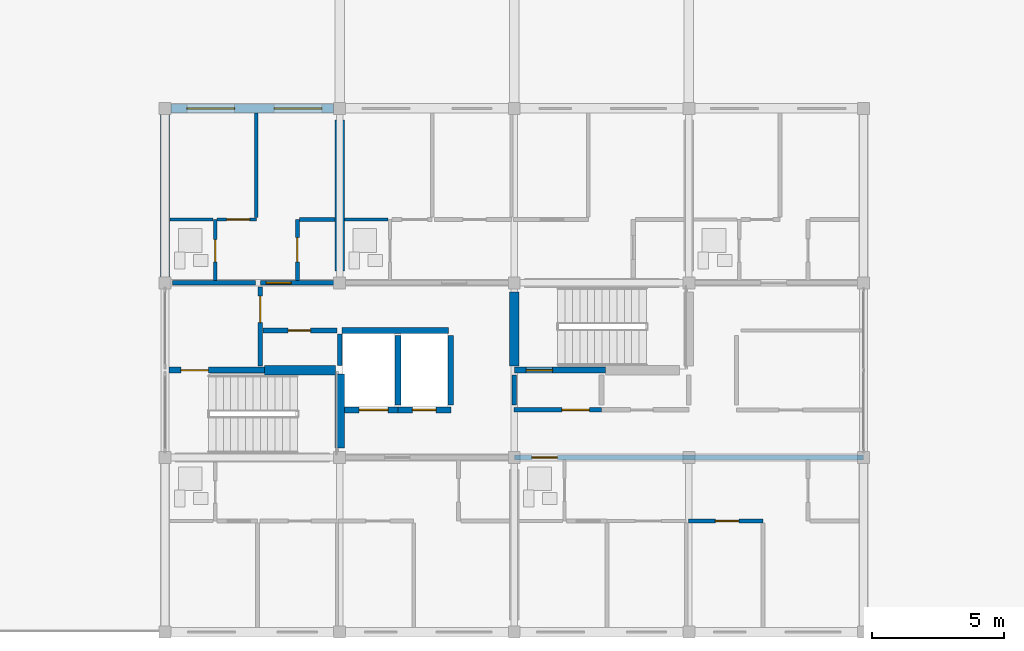
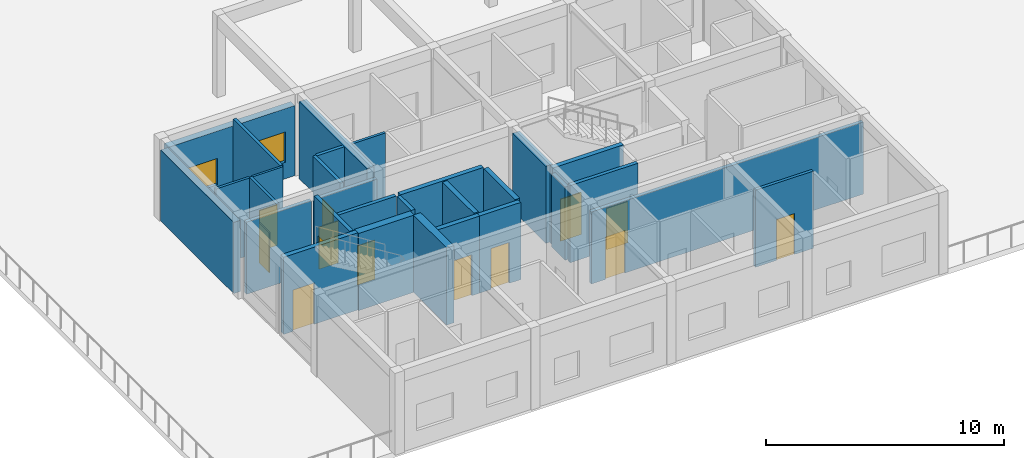
# One storey, part 64 of 92: 29 walls, 13 doors, 2 windows, 15 openings.
"""IFC4 building model written with IfcOpenShell, lengths in metres."""

from ifc_helpers import new_model, si_unit, direction, frame, frame_2d, origin, place, context, subcontext, project, spatial, rectangle, extrude, material, layer, layer_set, type_object, element, fill, save


model = new_model("IFC4")

# Units and contexts
model_context = context("Model", 3, precision=1e-05, world=origin(), true_north=direction((0.0, 1.0)))
body_context = subcontext(model_context, "Body", "Model", "MODEL_VIEW")
ifc_project = project(units=[si_unit("LENGTHUNIT", "METRE"), si_unit("AREAUNIT", "SQUARE_METRE"), si_unit("VOLUMEUNIT", "CUBIC_METRE"), si_unit("PLANEANGLEUNIT", "RADIAN"), si_unit("MASSUNIT", "GRAM", prefix="KILO")], contexts=[model_context])

# Site, building, storey
site_placement = place(None, origin())
site = spatial("IfcSite", under=ifc_project, at=site_placement, CompositionType="ELEMENT")
building_placement = place(site_placement, origin())
building = spatial("IfcBuilding", under=site, at=building_placement, Name="Kernevlak Ridge Housing Community", CompositionType="ELEMENT")
storey_placement = place(building_placement, frame((0.0, 0.0, 4.199951171875)))
storey = spatial("IfcBuildingStorey", under=building, at=storey_placement, Name="L01", CompositionType="ELEMENT", Elevation=4.199951171875)

# Wall, openings, windows
ifc_material_1 = material(Name="Concrete block masonry M10", Category="masonry")
ifc_layer_1 = layer(ifc_material_1, 0.340087890625, Name="Concrete block masonry M10")
ifc_layer_set_1 = layer_set([ifc_layer_1], Name="Concrete block masonry M10")
wall_type_1 = type_object("IfcWallType", Name="EW-04", PredefinedType="STANDARD", material=ifc_layer_set_1)
wall_1_placement = place(storey_placement, frame((15.824951171875, 35.39990234375, 0.0), z_axis=(0.0, 0.0, 1.0), x_axis=(1.0, 0.0, 0.0)))
wall_1 = element("IfcWall", 1, at=wall_1_placement, inside=storey, type_object=wall_type_1, Name="Exterior wall EW-04 L01 731", PredefinedType="STANDARD", context=body_context, shape_type="SweptSolid", body=[
    extrude(rectangle(XDim=6.150146484375, YDim=0.340087890625, at=frame_2d((3.0751953125, 0.0))), origin(), (0.0, 0.0, 1.0), 3.60009765625),
])
opening_1_placement = place(wall_1_placement, frame((0.60009765625, 0.0, 0.85009765625)))
opening_1 = element("IfcOpeningElement", 2, at=opening_1_placement, cuts=wall_1, Name="Opening WT-03", PredefinedType="OPENING", context=body_context, shape_type="SweptSolid", body=[
    extrude(rectangle(XDim=1.800048828125, YDim=1.35009765625, at=frame_2d((0.89990234375, 0.675048828125))), frame((0.0, 0.179931640625, 0.0), z_axis=(0.0, -1.0, 0.0), x_axis=(1.0, 0.0, 0.0)), (0.0, 0.0, 1.0), 0.360107421875),
])
opening_2_placement = place(wall_1_placement, frame((3.89990234375, 0.0, 0.85009765625)))
opening_2 = element("IfcOpeningElement", 3, at=opening_2_placement, cuts=wall_1, Name="Opening WT-04", PredefinedType="OPENING", context=body_context, shape_type="SweptSolid", body=[
    extrude(rectangle(XDim=1.800048828125, YDim=1.550048828125, at=frame_2d((0.89990234375, 0.77490234375))), frame((0.0, 0.179931640625, 0.0), z_axis=(0.0, -1.0, 0.0), x_axis=(1.0, 0.0, 0.0)), (0.0, 0.0, 1.0), 0.360107421875),
])
ifc_material_2 = material(Name="Aluminium EN AW-6060 anodised and laminated glass", Category="aluminium")
window_type_1 = type_object("IfcWindowType", Name="WT-03", PartitioningType="SINGLE_PANEL", PredefinedType="WINDOW", material=ifc_material_2)
window_1_placement = place(opening_1_placement, origin())
window_1 = element("IfcWindow", 4, at=window_1_placement, inside=storey, type_object=window_type_1, Name="Window WT-03 L01 598", OverallHeight=1.35009765625, OverallWidth=1.800048828125, PartitioningType="SINGLE_PANEL", PredefinedType="WINDOW", context=body_context, shape_type="SweptSolid", body=[
    extrude(rectangle(XDim=1.800048828125, YDim=1.35009765625, at=frame_2d((0.89990234375, 0.675048828125))), frame((0.0, 0.030029296875, 0.0), z_axis=(0.0, -1.0, 0.0), x_axis=(1.0, 0.0, 0.0)), (0.0, 0.0, 1.0), 0.06005859375),
])
fill(opening_1, window_1)
window_type_2 = type_object("IfcWindowType", Name="WT-04", PartitioningType="SINGLE_PANEL", PredefinedType="WINDOW", material=ifc_material_2)
window_2_placement = place(opening_2_placement, origin())
window_2 = element("IfcWindow", 5, at=window_2_placement, inside=storey, type_object=window_type_2, Name="Window WT-04 L01 599", OverallHeight=1.550048828125, OverallWidth=1.800048828125, PartitioningType="SINGLE_PANEL", PredefinedType="WINDOW", context=body_context, shape_type="SweptSolid", body=[
    extrude(rectangle(XDim=1.800048828125, YDim=1.550048828125, at=frame_2d((0.89990234375, 0.77490234375))), frame((0.0, 0.030029296875, 0.0), z_axis=(0.0, -1.0, 0.0), x_axis=(1.0, 0.0, 0.0)), (0.0, 0.0, 1.0), 0.06005859375),
])
fill(opening_2, window_2)

# Wall
wall_2_placement = place(storey_placement, frame((15.60009765625, 29.02490234375, 0.0), z_axis=(0.0, 0.0, 1.0), x_axis=(0.0, 1.0, 0.0)))
element("IfcWall", 6, at=wall_2_placement, inside=storey, type_object=wall_type_1, Name="Exterior wall EW-04 L01 736", PredefinedType="STANDARD", context=body_context, shape_type="SweptSolid", body=[
    extrude(rectangle(XDim=6.150146484375, YDim=0.340087890625, at=frame_2d((3.0751953125, 0.0))), origin(), (0.0, 0.0, 1.0), 3.650146484375),
])

# Wall, opening, door
ifc_material_3 = material(Name="Concrete C35/45", Category="concrete")
ifc_layer_2 = layer(ifc_material_3, 0.22509765625, Name="Concrete C35/45")
ifc_layer_set_2 = layer_set([ifc_layer_2], Name="Concrete C35/45")
wall_type_2 = type_object("IfcWallType", Name="PW-01", PredefinedType="STANDARD", material=ifc_layer_set_2)
wall_3_placement = place(storey_placement, frame((15.75, 25.5, 0.0), z_axis=(0.0, 0.0, 1.0), x_axis=(1.0, 0.0, 0.0)))
wall_3 = element("IfcWall", 7, at=wall_3_placement, inside=storey, type_object=wall_type_2, Name="Interior wall PW-01 WAL-INT-L01-2974", PredefinedType="STANDARD", context=body_context, shape_type="SweptSolid", body=[
    extrude(rectangle(XDim=3.60009765625, YDim=0.22509765625, at=frame_2d((1.800048828125, 0.0))), origin(), (0.0, 0.0, 1.0), 3.9599609375),
])
opening_3_placement = place(wall_3_placement, frame((0.449951171875, 0.0, 0.0)))
opening_3 = element("IfcOpeningElement", 8, at=opening_3_placement, cuts=wall_3, Name="Opening E509", PredefinedType="OPENING", context=body_context, shape_type="SweptSolid", body=[
    extrude(rectangle(XDim=1.0400390625, YDim=2.1201171875, at=frame_2d((0.52001953125, 1.06005859375))), frame((0.0, 0.12255859375, 0.0), z_axis=(0.0, -1.0, 0.0), x_axis=(1.0, 0.0, 0.0)), (0.0, 0.0, 1.0), 0.2451171875),
])
ifc_material_4 = material(Name="Fire-rated sheet steel leaf", Category="steel")
door_type_1 = type_object("IfcDoorType", Name="DT-16", OperationType="NOTDEFINED", PredefinedType="DOOR", material=ifc_material_4)
door_1_placement = place(opening_3_placement, origin())
door_1 = element("IfcDoor", 9, at=door_1_placement, inside=storey, type_object=door_type_1, Name="Block D Stair 1 fire door E509", OperationType="SINGLE_SWING_RIGHT", OverallHeight=2.1201171875, OverallWidth=1.0400390625, PredefinedType="DOOR", context=body_context, shape_type="SweptSolid", body=[
    extrude(rectangle(XDim=1.0400390625, YDim=2.1201171875, at=frame_2d((0.52001953125, 1.06005859375))), frame((0.0, 0.02490234375, 0.0), z_axis=(0.0, -1.0, 0.0), x_axis=(1.0, 0.0, 0.0)), (0.0, 0.0, 1.0), 0.050048828125),
])
fill(opening_3, door_1)

wall_4_placement = place(storey_placement, frame((22.385009765625, 24.0, 0.0), z_axis=(0.0, 0.0, 1.0), x_axis=(1.0, 0.0, 0.0)))
wall_4 = element("IfcWall", 10, at=wall_4_placement, inside=storey, type_object=wall_type_2, Name="Interior wall PW-01 WAL-INT-L01-2978", PredefinedType="STANDARD", context=body_context, shape_type="SweptSolid", body=[
    extrude(rectangle(XDim=2.014892578125, YDim=0.22509765625, at=frame_2d((1.00732421875, 0.0))), origin(), (0.0, 0.0, 1.0), 3.9599609375),
])
opening_4_placement = place(wall_4_placement, frame((0.550048828125, 0.0, 0.0)))
opening_4 = element("IfcOpeningElement", 11, at=opening_4_placement, cuts=wall_4, Name="Opening LD80", PredefinedType="OPENING", context=body_context, shape_type="SweptSolid", body=[
    extrude(rectangle(XDim=1.10009765625, YDim=2.10009765625, at=frame_2d((0.550048828125, 1.050048828125))), frame((0.0, 0.12255859375, 0.0), z_axis=(0.0, -1.0, 0.0), x_axis=(1.0, 0.0, 0.0)), (0.0, 0.0, 1.0), 0.2451171875),
])
ifc_material_5 = material(Name="Stainless steel EN 1.4401", Category="steel")
door_type_2 = type_object("IfcDoorType", Name="DT-LD1", OperationType="DOUBLE_DOOR_SLIDING", PredefinedType="DOOR", material=ifc_material_5)
door_2_placement = place(opening_4_placement, origin())
door_2 = element("IfcDoor", 12, at=door_2_placement, inside=storey, type_object=door_type_2, Name="Lift LF-D1 landing door LD80", OperationType="DOUBLE_DOOR_SLIDING", OverallHeight=2.10009765625, OverallWidth=1.10009765625, PredefinedType="DOOR", context=body_context, shape_type="SweptSolid", body=[
    extrude(rectangle(XDim=1.10009765625, YDim=2.10009765625, at=frame_2d((0.550048828125, 1.050048828125))), frame((0.0, 0.02490234375, 0.0), z_axis=(0.0, -1.0, 0.0), x_axis=(1.0, 0.0, 0.0)), (0.0, 0.0, 1.0), 0.050048828125),
])
fill(opening_4, door_2)

wall_5_placement = place(storey_placement, frame((24.39990234375, 24.0, 0.0), z_axis=(0.0, 0.0, 1.0), x_axis=(1.0, 0.0, 0.0)))
wall_5 = element("IfcWall", 13, at=wall_5_placement, inside=storey, type_object=wall_type_2, Name="Interior wall PW-01 WAL-INT-L01-2979", PredefinedType="STANDARD", context=body_context, shape_type="SweptSolid", body=[
    extrude(rectangle(XDim=2.0, YDim=0.22509765625, at=frame_2d((1.0, 0.0))), origin(), (0.0, 0.0, 1.0), 3.9599609375),
])
opening_5_placement = place(wall_5_placement, frame((0.550048828125, 0.0, 0.0)))
opening_5 = element("IfcOpeningElement", 14, at=opening_5_placement, cuts=wall_5, Name="Opening LD81", PredefinedType="OPENING", context=body_context, shape_type="SweptSolid", body=[
    extrude(rectangle(XDim=0.89990234375, YDim=2.10009765625, at=frame_2d((0.449951171875, 1.050048828125))), frame((0.0, 0.12255859375, 0.0), z_axis=(0.0, -1.0, 0.0), x_axis=(1.0, 0.0, 0.0)), (0.0, 0.0, 1.0), 0.2451171875),
])
door_type_3 = type_object("IfcDoorType", Name="DT-LD2", OperationType="DOUBLE_DOOR_SLIDING", PredefinedType="DOOR", material=ifc_material_5)
door_3_placement = place(opening_5_placement, origin())
door_3 = element("IfcDoor", 15, at=door_3_placement, inside=storey, type_object=door_type_3, Name="Lift LF-D2 landing door LD81", OperationType="DOUBLE_DOOR_SLIDING", OverallHeight=2.10009765625, OverallWidth=0.89990234375, PredefinedType="DOOR", context=body_context, shape_type="SweptSolid", body=[
    extrude(rectangle(XDim=0.89990234375, YDim=2.10009765625, at=frame_2d((0.449951171875, 1.050048828125))), frame((0.0, 0.02490234375, 0.0), z_axis=(0.0, -1.0, 0.0), x_axis=(1.0, 0.0, 0.0)), (0.0, 0.0, 1.0), 0.050048828125),
])
fill(opening_5, door_3)

# Walls
wall_6_placement = place(storey_placement, frame((22.297607421875, 27.0, 0.0), z_axis=(0.0, 0.0, 1.0), x_axis=(1.0, 0.0, 0.0)))
element("IfcWall", 16, at=wall_6_placement, inside=storey, type_object=wall_type_2, Name="Interior wall PW-01 WAL-INT-L01-2980", PredefinedType="STANDARD", context=body_context, shape_type="SweptSolid", body=[
    extrude(rectangle(XDim=4.0224609375, YDim=0.22509765625, at=frame_2d((2.01123046875, 0.0))), origin(), (0.0, 0.0, 1.0), 3.9599609375),
])
for number, where, z_axis, x_axis, name in (
    (17, (24.39990234375, 24.179931640625, 0.0), (0.0, 0.0, 1.0), (0.0, 1.0, 0.0), "Interior wall PW-01 WAL-INT-L01-2982"),
    (18, (26.39990234375, 24.179931640625, 0.0), (0.0, 0.0, 1.0), (0.0, 1.0, 0.0), "Interior wall PW-01 WAL-INT-L01-2983"),
):
    element("IfcWall", number, at=place(storey_placement, frame(where, z_axis=z_axis, x_axis=x_axis)), inside=storey, type_object=wall_type_2, Name=name, PredefinedType="STANDARD", context=body_context, shape_type="SweptSolid", body=[
        extrude(rectangle(XDim=2.64013671875, YDim=0.22509765625, at=frame_2d((1.320068359375, 0.0))), origin(), (0.0, 0.0, 1.0), 3.9599609375),
    ])

# Wall, opening, door
wall_7_placement = place(storey_placement, frame((28.800048828125, 25.5, 0.0), z_axis=(0.0, 0.0, 1.0), x_axis=(1.0, 0.0, 0.0)))
wall_7 = element("IfcWall", 19, at=wall_7_placement, inside=storey, type_object=wall_type_2, Name="Interior wall PW-01 WAL-INT-L01-2984", PredefinedType="STANDARD", context=body_context, shape_type="SweptSolid", body=[
    extrude(rectangle(XDim=3.449951171875, YDim=0.22509765625, at=frame_2d((1.72509765625, 0.0))), origin(), (0.0, 0.0, 1.0), 3.9599609375),
])
opening_6_placement = place(wall_7_placement, frame((0.449951171875, 0.0, 0.0)))
opening_6 = element("IfcOpeningElement", 20, at=opening_6_placement, cuts=wall_7, Name="Opening E512", PredefinedType="OPENING", context=body_context, shape_type="SweptSolid", body=[
    extrude(rectangle(XDim=1.0, YDim=2.159912109375, at=frame_2d((0.5, 1.080078125))), frame((0.0, 0.12255859375, 0.0), z_axis=(0.0, -1.0, 0.0), x_axis=(1.0, 0.0, 0.0)), (0.0, 0.0, 1.0), 0.2451171875),
])
door_type_4 = type_object("IfcDoorType", Name="DT-15", OperationType="NOTDEFINED", PredefinedType="DOOR", material=ifc_material_4)
door_4_placement = place(opening_6_placement, origin())
door_4 = element("IfcDoor", 21, at=door_4_placement, inside=storey, type_object=door_type_4, Name="Block D Stair 2 fire door E512", OperationType="SINGLE_SWING_LEFT", OverallHeight=2.159912109375, OverallWidth=1.0, PredefinedType="DOOR", context=body_context, shape_type="SweptSolid", body=[
    extrude(rectangle(XDim=1.0, YDim=2.159912109375, at=frame_2d((0.5, 1.080078125))), frame((0.0, 0.02490234375, 0.0), z_axis=(0.0, -1.0, 0.0), x_axis=(1.0, 0.0, 0.0)), (0.0, 0.0, 1.0), 0.050048828125),
])
fill(opening_6, door_4)

ifc_layer_3 = layer(ifc_material_1, 0.175048828125, Name="Concrete block masonry M10")
ifc_layer_set_3 = layer_set([ifc_layer_3], Name="Concrete block masonry M10")
wall_type_3 = type_object("IfcWallType", Name="PW-02", PredefinedType="PARTITIONING", material=ifc_layer_set_3)
wall_8_placement = place(storey_placement, frame((19.199951171875, 25.64990234375, 0.0), z_axis=(0.0, 0.0, 1.0), x_axis=(0.0, 1.0, 0.0)))
wall_8 = element("IfcWall", 22, at=wall_8_placement, inside=storey, type_object=wall_type_3, Name="Interior wall PW-02 WAL-INT-L01-2975", PredefinedType="PARTITIONING", context=body_context, shape_type="SweptSolid", body=[
    extrude(rectangle(XDim=3.0, YDim=0.175048828125, at=frame_2d((1.5, 0.0))), origin(), (0.0, 0.0, 1.0), 3.9599609375),
])
opening_7_placement = place(wall_8_placement, frame((1.64990234375, 0.0, 0.0)))
opening_7 = element("IfcOpeningElement", 23, at=opening_7_placement, cuts=wall_8, Name="Opening E510", PredefinedType="OPENING", context=body_context, shape_type="SweptSolid", body=[
    extrude(rectangle(XDim=1.0, YDim=2.10009765625, at=frame_2d((0.5, 1.050048828125))), frame((0.0, 0.097412109375, 0.0), z_axis=(0.0, -1.0, 0.0), x_axis=(1.0, 0.0, 0.0)), (0.0, 0.0, 1.0), 0.195068359375),
])
door_type_5 = type_object("IfcDoorType", Name="DT-05", OperationType="NOTDEFINED", PredefinedType="DOOR", material=ifc_material_4)
door_5_placement = place(opening_7_placement, origin())
door_5 = element("IfcDoor", 24, at=door_5_placement, inside=storey, type_object=door_type_5, Name="Block D Firefighting lobby 1 door E510", OperationType="SINGLE_SWING_LEFT", OverallHeight=2.10009765625, OverallWidth=1.0, PredefinedType="DOOR", context=body_context, shape_type="SweptSolid", body=[
    extrude(rectangle(XDim=1.0, YDim=2.10009765625, at=frame_2d((0.5, 1.050048828125))), frame((0.0, 0.02490234375, 0.0), z_axis=(0.0, -1.0, 0.0), x_axis=(1.0, 0.0, 0.0)), (0.0, 0.0, 1.0), 0.050048828125),
])
fill(opening_7, door_5)

wall_9_placement = place(storey_placement, frame((19.300048828125, 27.0, 0.0), z_axis=(0.0, 0.0, 1.0), x_axis=(1.0, 0.0, 0.0)))
wall_9 = element("IfcWall", 25, at=wall_9_placement, inside=storey, type_object=wall_type_3, Name="Interior wall PW-02 WAL-INT-L01-2976", PredefinedType="PARTITIONING", context=body_context, shape_type="SweptSolid", body=[
    extrude(rectangle(XDim=2.800048828125, YDim=0.175048828125, at=frame_2d((1.39990234375, 0.0))), origin(), (0.0, 0.0, 1.0), 3.9599609375),
])
opening_8_placement = place(wall_9_placement, frame((0.949951171875, 0.0, 0.0)))
opening_8 = element("IfcOpeningElement", 26, at=opening_8_placement, cuts=wall_9, Name="Opening E511", PredefinedType="OPENING", context=body_context, shape_type="SweptSolid", body=[
    extrude(rectangle(XDim=0.85009765625, YDim=2.0, at=frame_2d((0.425048828125, 1.0))), frame((0.0, 0.097412109375, 0.0), z_axis=(0.0, -1.0, 0.0), x_axis=(1.0, 0.0, 0.0)), (0.0, 0.0, 1.0), 0.195068359375),
])
door_type_6 = type_object("IfcDoorType", Name="DT-07", OperationType="NOTDEFINED", PredefinedType="DOOR", material=ifc_material_4)
door_6_placement = place(opening_8_placement, origin())
door_6 = element("IfcDoor", 27, at=door_6_placement, inside=storey, type_object=door_type_6, Name="Block D Riser shaft door E511", OperationType="SINGLE_SWING_RIGHT", OverallHeight=2.0, OverallWidth=0.85009765625, PredefinedType="DOOR", context=body_context, shape_type="SweptSolid", body=[
    extrude(rectangle(XDim=0.85009765625, YDim=2.0, at=frame_2d((0.425048828125, 1.0))), frame((0.0, 0.02490234375, 0.0), z_axis=(0.0, -1.0, 0.0), x_axis=(1.0, 0.0, 0.0)), (0.0, 0.0, 1.0), 0.050048828125),
])
fill(opening_8, door_6)

# Wall
wall_10_placement = place(storey_placement, frame((22.199951171875, 25.679931640625, 0.0), z_axis=(0.0, 0.0, 1.0), x_axis=(0.0, 1.0, 0.0)))
element("IfcWall", 28, at=wall_10_placement, inside=storey, type_object=wall_type_3, Name="Interior wall PW-02 WAL-INT-L01-2977", PredefinedType="PARTITIONING", context=body_context, shape_type="SweptSolid", body=[
    extrude(rectangle(XDim=1.190185546875, YDim=0.175048828125, at=frame_2d((0.59521484375, 0.0))), origin(), (0.0, 0.0, 1.0), 3.9599609375),
])

# Wall, opening, door
wall_11_placement = place(storey_placement, frame((28.800048828125, 24.0, 0.0), z_axis=(0.0, 0.0, 1.0), x_axis=(1.0, 0.0, 0.0)))
wall_11 = element("IfcWall", 29, at=wall_11_placement, inside=storey, type_object=wall_type_3, Name="Interior wall PW-02 WAL-INT-L01-2985", PredefinedType="PARTITIONING", context=body_context, shape_type="SweptSolid", body=[
    extrude(rectangle(XDim=3.300048828125, YDim=0.175048828125, at=frame_2d((1.64990234375, 0.0))), origin(), (0.0, 0.0, 1.0), 3.9599609375),
])
opening_9_placement = place(wall_11_placement, frame((1.800048828125, 0.0, 0.0)))
opening_9 = element("IfcOpeningElement", 30, at=opening_9_placement, cuts=wall_11, Name="Opening E513", PredefinedType="OPENING", context=body_context, shape_type="SweptSolid", body=[
    extrude(rectangle(XDim=1.0400390625, YDim=2.1201171875, at=frame_2d((0.52001953125, 1.06005859375))), frame((0.0, 0.097412109375, 0.0), z_axis=(0.0, -1.0, 0.0), x_axis=(1.0, 0.0, 0.0)), (0.0, 0.0, 1.0), 0.195068359375),
])
door_7_placement = place(opening_9_placement, origin())
door_7 = element("IfcDoor", 31, at=door_7_placement, inside=storey, type_object=door_type_1, Name="Block D Firefighting lobby 2 door E513", OperationType="SINGLE_SWING_RIGHT", OverallHeight=2.1201171875, OverallWidth=1.0400390625, PredefinedType="DOOR", context=body_context, shape_type="SweptSolid", body=[
    extrude(rectangle(XDim=1.0400390625, YDim=2.1201171875, at=frame_2d((0.52001953125, 1.06005859375))), frame((0.0, 0.02490234375, 0.0), z_axis=(0.0, -1.0, 0.0), x_axis=(1.0, 0.0, 0.0)), (0.0, 0.0, 1.0), 0.050048828125),
])
fill(opening_9, door_7)

# Wall
wall_12_placement = place(storey_placement, frame((28.800048828125, 24.179931640625, 0.0), z_axis=(0.0, 0.0, 1.0), x_axis=(0.0, 1.0, 0.0)))
element("IfcWall", 32, at=wall_12_placement, inside=storey, type_object=wall_type_3, Name="Interior wall PW-02 WAL-INT-L01-2987", PredefinedType="PARTITIONING", context=body_context, shape_type="SweptSolid", body=[
    extrude(rectangle(XDim=1.14013671875, YDim=0.175048828125, at=frame_2d((0.570068359375, 0.0))), origin(), (0.0, 0.0, 1.0), 3.75),
])

# Wall, opening, door
wall_13_placement = place(storey_placement, frame((28.800048828125, 22.199951171875, 0.0), z_axis=(0.0, 0.0, 1.0), x_axis=(1.0, 0.0, 0.0)))
wall_13 = element("IfcWall", 33, at=wall_13_placement, inside=storey, type_object=wall_type_3, Name="Interior wall PW-02 WAL-INT-L01-3004", PredefinedType="PARTITIONING", context=body_context, shape_type="SweptSolid", body=[
    extrude(rectangle(XDim=13.199951171875, YDim=0.175048828125, at=frame_2d((6.60009765625, 0.0))), origin(), (0.0, 0.0, 1.0), 3.699951171875),
])
opening_10_placement = place(wall_13_placement, frame((0.669921875, 0.0, 0.0)))
opening_10 = element("IfcOpeningElement", 34, at=opening_10_placement, cuts=wall_13, Name="Opening E522", PredefinedType="OPENING", context=body_context, shape_type="SweptSolid", body=[
    extrude(rectangle(XDim=0.9599609375, YDim=2.179931640625, at=frame_2d((0.47998046875, 1.08984375))), frame((0.0, 0.097412109375, 0.0), z_axis=(0.0, -1.0, 0.0), x_axis=(1.0, 0.0, 0.0)), (0.0, 0.0, 1.0), 0.195068359375),
])
ifc_material_6 = material(Name="Hardwood timber solid-core fire leaf", Category="wood")
door_type_7 = type_object("IfcDoorType", Name="DT-29", OperationType="NOTDEFINED", PredefinedType="DOOR", material=ifc_material_6)
door_8_placement = place(opening_10_placement, origin())
door_8 = element("IfcDoor", 35, at=door_8_placement, inside=storey, type_object=door_type_7, Name="Flat D0112 entrance fire door E522", OperationType="SINGLE_SWING_LEFT", OverallHeight=2.179931640625, OverallWidth=0.9599609375, PredefinedType="DOOR", context=body_context, shape_type="SweptSolid", body=[
    extrude(rectangle(XDim=0.9599609375, YDim=2.179931640625, at=frame_2d((0.47998046875, 1.08984375))), frame((0.0, 0.02490234375, 0.0), z_axis=(0.0, -1.0, 0.0), x_axis=(1.0, 0.0, 0.0)), (0.0, 0.0, 1.0), 0.050048828125),
])
fill(opening_10, door_8)

# Wall
wall_14_placement = place(storey_placement, frame((15.8798828125, 28.800048828125, 0.0), z_axis=(0.0, 0.0, 1.0), x_axis=(1.0, 0.0, 0.0)))
element("IfcWall", 36, at=wall_14_placement, inside=storey, type_object=wall_type_3, Name="Interior wall PW-02 WAL-INT-L01-3015", PredefinedType="PARTITIONING", context=body_context, shape_type="SweptSolid", body=[
    extrude(rectangle(XDim=3.14013671875, YDim=0.175048828125, at=frame_2d((1.570068359375, 0.0))), origin(), (0.0, 0.0, 1.0), 3.699951171875),
])

# Wall, opening, door
wall_15_placement = place(storey_placement, frame((19.199951171875, 28.800048828125, 0.0), z_axis=(0.0, 0.0, 1.0), x_axis=(1.0, 0.0, 0.0)))
wall_15 = element("IfcWall", 37, at=wall_15_placement, inside=storey, type_object=wall_type_3, Name="Interior wall PW-02 WAL-INT-L01-3016", PredefinedType="PARTITIONING", context=body_context, shape_type="SweptSolid", body=[
    extrude(rectangle(XDim=3.0, YDim=0.175048828125, at=frame_2d((1.5, 0.0))), origin(), (0.0, 0.0, 1.0), 3.699951171875),
])
opening_11_placement = place(wall_15_placement, frame((0.219970703125, 0.0, 0.0)))
opening_11 = element("IfcOpeningElement", 38, at=opening_11_placement, cuts=wall_15, Name="Opening E528", PredefinedType="OPENING", context=body_context, shape_type="SweptSolid", body=[
    extrude(rectangle(XDim=0.949951171875, YDim=2.159912109375, at=frame_2d((0.47509765625, 1.080078125))), frame((0.0, 0.097412109375, 0.0), z_axis=(0.0, -1.0, 0.0), x_axis=(1.0, 0.0, 0.0)), (0.0, 0.0, 1.0), 0.195068359375),
])
door_type_8 = type_object("IfcDoorType", Name="DT-02", OperationType="NOTDEFINED", PredefinedType="DOOR", material=ifc_material_6)
door_9_placement = place(opening_11_placement, origin())
door_9 = element("IfcDoor", 39, at=door_9_placement, inside=storey, type_object=door_type_8, Name="Flat D0121 entrance fire door E528", OperationType="SINGLE_SWING_LEFT", OverallHeight=2.159912109375, OverallWidth=0.949951171875, PredefinedType="DOOR", context=body_context, shape_type="SweptSolid", body=[
    extrude(rectangle(XDim=0.949951171875, YDim=2.159912109375, at=frame_2d((0.47509765625, 1.080078125))), frame((0.0, 0.02490234375, 0.0), z_axis=(0.0, -1.0, 0.0), x_axis=(1.0, 0.0, 0.0)), (0.0, 0.0, 1.0), 0.050048828125),
])
fill(opening_11, door_9)

ifc_layer_4 = layer(ifc_material_1, 0.14501953125, Name="Concrete block masonry M10")
ifc_layer_set_4 = layer_set([ifc_layer_4], Name="Concrete block masonry M10")
wall_type_4 = type_object("IfcWallType", Name="PW-03", PredefinedType="PARTITIONING", material=ifc_layer_set_4)
wall_16_placement = place(storey_placement, frame((35.382568359375, 19.800048828125, 0.0), z_axis=(0.0, 0.0, 1.0), x_axis=(1.0, 0.0, 0.0)))
wall_16 = element("IfcWall", 40, at=wall_16_placement, inside=storey, type_object=wall_type_4, Name="Interior wall PW-03 WAL-INT-L01-3013", PredefinedType="PARTITIONING", context=body_context, shape_type="SweptSolid", body=[
    extrude(rectangle(XDim=2.8173828125, YDim=0.14501953125, at=frame_2d((1.40869140625, 0.0))), origin(), (0.0, 0.0, 1.0), 3.9599609375),
])
opening_12_placement = place(wall_16_placement, frame((1.02490234375, 0.0, 0.0)))
opening_12 = element("IfcOpeningElement", 41, at=opening_12_placement, cuts=wall_16, Name="Opening E527", PredefinedType="OPENING", context=body_context, shape_type="SweptSolid", body=[
    extrude(rectangle(XDim=0.8798828125, YDim=2.10009765625, at=frame_2d((0.43994140625, 1.050048828125))), frame((0.0, 0.08251953125, 0.0), z_axis=(0.0, -1.0, 0.0), x_axis=(1.0, 0.0, 0.0)), (0.0, 0.0, 1.0), 0.1650390625),
])
ifc_material_7 = material(Name="Hardwood timber leaf", Category="wood")
door_type_9 = type_object("IfcDoorType", Name="DT-25", OperationType="NOTDEFINED", PredefinedType="DOOR", material=ifc_material_7)
door_10_placement = place(opening_12_placement, origin())
door_10 = element("IfcDoor", 42, at=door_10_placement, inside=storey, type_object=door_type_9, Name="Flat D0112 bedroom door E527", OperationType="SINGLE_SWING_RIGHT", OverallHeight=2.10009765625, OverallWidth=0.8798828125, PredefinedType="DOOR", context=body_context, shape_type="SweptSolid", body=[
    extrude(rectangle(XDim=0.8798828125, YDim=2.10009765625, at=frame_2d((0.43994140625, 1.050048828125))), frame((0.0, 0.02490234375, 0.0), z_axis=(0.0, -1.0, 0.0), x_axis=(1.0, 0.0, 0.0)), (0.0, 0.0, 1.0), 0.050048828125),
])
fill(opening_12, door_10)

# Wall
wall_17_placement = place(storey_placement, frame((19.050048828125, 31.280029296875, 0.0), z_axis=(0.0, 0.0, 1.0), x_axis=(0.0, 1.0, 0.0)))
element("IfcWall", 43, at=wall_17_placement, inside=storey, type_object=wall_type_4, Name="Interior wall PW-03 WAL-INT-L01-3022", PredefinedType="PARTITIONING", context=body_context, shape_type="SweptSolid", body=[
    extrude(rectangle(XDim=3.93994140625, YDim=0.14501953125, at=frame_2d((1.969970703125, 0.0))), origin(), (0.0, 0.0, 1.0), 3.9599609375),
])

# Wall, opening, door
ifc_material_8 = material(Name="Gypsum plasterboard EN 520", Category="gypsum")
ifc_layer_5 = layer(ifc_material_8, 0.125, Name="Gypsum plasterboard EN 520")
ifc_layer_set_5 = layer_set([ifc_layer_5], Name="Gypsum plasterboard EN 520")
wall_type_5 = type_object("IfcWallType", Name="PW-04", PredefinedType="PARTITIONING", material=ifc_layer_set_5)
wall_18_placement = place(storey_placement, frame((17.5, 28.8974609375, 0.0), z_axis=(0.0, 0.0, 1.0), x_axis=(0.0, 1.0, 0.0)))
wall_18 = element("IfcWall", 44, at=wall_18_placement, inside=storey, type_object=wall_type_5, Name="Interior wall PW-04 WAL-INT-L01-3017", PredefinedType="PARTITIONING", context=body_context, shape_type="SweptSolid", body=[
    extrude(rectangle(XDim=2.302490234375, YDim=0.125, at=frame_2d((1.1513671875, 0.0))), origin(), (0.0, 0.0, 1.0), 3.9599609375),
])
opening_13_placement = place(wall_18_placement, frame((0.699951171875, 0.0, 0.0)))
opening_13 = element("IfcOpeningElement", 45, at=opening_13_placement, cuts=wall_18, Name="Opening E529", PredefinedType="OPENING", context=body_context, shape_type="SweptSolid", body=[
    extrude(rectangle(XDim=0.840087890625, YDim=2.06005859375, at=frame_2d((0.419921875, 1.030029296875))), frame((0.0, 0.072509765625, 0.0), z_axis=(0.0, -1.0, 0.0), x_axis=(1.0, 0.0, 0.0)), (0.0, 0.0, 1.0), 0.14501953125),
])
ifc_material_9 = material(Name="Hardwood timber moisture-resistant leaf", Category="wood")
door_type_10 = type_object("IfcDoorType", Name="DT-27", OperationType="NOTDEFINED", PredefinedType="DOOR", material=ifc_material_9)
door_11_placement = place(opening_13_placement, origin())
door_11 = element("IfcDoor", 46, at=door_11_placement, inside=storey, type_object=door_type_10, Name="Flat D0121 bathroom door E529", OperationType="SINGLE_SWING_RIGHT", OverallHeight=2.06005859375, OverallWidth=0.840087890625, PredefinedType="DOOR", context=body_context, shape_type="SweptSolid", body=[
    extrude(rectangle(XDim=0.840087890625, YDim=2.06005859375, at=frame_2d((0.419921875, 1.030029296875))), frame((0.0, 0.02490234375, 0.0), z_axis=(0.0, -1.0, 0.0), x_axis=(1.0, 0.0, 0.0)), (0.0, 0.0, 1.0), 0.050048828125),
])
fill(opening_13, door_11)

# Walls
wall_19_placement = place(storey_placement, frame((15.780029296875, 31.199951171875, 0.0), z_axis=(0.0, 0.0, 1.0), x_axis=(1.0, 0.0, 0.0)))
element("IfcWall", 47, at=wall_19_placement, inside=storey, type_object=wall_type_5, Name="Interior wall PW-04 WAL-INT-L01-3018", PredefinedType="PARTITIONING", context=body_context, shape_type="SweptSolid", body=[
    extrude(rectangle(XDim=1.639892578125, YDim=0.125, at=frame_2d((0.81982421875, 0.0))), origin(), (0.0, 0.0, 1.0), 3.9599609375),
])
wall_20_placement = place(storey_placement, frame((22.385009765625, 31.199951171875, 0.0), z_axis=(0.0, 0.0, 1.0), x_axis=(1.0, 0.0, 0.0)))
element("IfcWall", 48, at=wall_20_placement, inside=storey, type_object=wall_type_5, Name="Interior wall PW-04 WAL-INT-L01-3025", PredefinedType="PARTITIONING", context=body_context, shape_type="SweptSolid", body=[
    extrude(rectangle(XDim=1.635009765625, YDim=0.125, at=frame_2d((0.8173828125, 0.0))), origin(), (0.0, 0.0, 1.0), 3.9599609375),
])

# Wall, opening, door
ifc_layer_6 = layer(ifc_material_8, 0.155029296875, Name="Gypsum plasterboard EN 520")
ifc_layer_set_6 = layer_set([ifc_layer_6], Name="Gypsum plasterboard EN 520")
wall_type_6 = type_object("IfcWallType", Name="PW-05", PredefinedType="PARTITIONING", material=ifc_layer_set_6)
wall_21_placement = place(storey_placement, frame((20.60009765625, 28.8974609375, 0.0), z_axis=(0.0, 0.0, 1.0), x_axis=(0.0, 1.0, 0.0)))
wall_21 = element("IfcWall", 49, at=wall_21_placement, inside=storey, type_object=wall_type_6, Name="Interior wall PW-05 WAL-INT-L01-3019", PredefinedType="PARTITIONING", context=body_context, shape_type="SweptSolid", body=[
    extrude(rectangle(XDim=2.302490234375, YDim=0.155029296875, at=frame_2d((1.1513671875, 0.0))), origin(), (0.0, 0.0, 1.0), 3.9599609375),
])
opening_14_placement = place(wall_21_placement, frame((0.699951171875, 0.0, 0.0)))
opening_14 = element("IfcOpeningElement", 50, at=opening_14_placement, cuts=wall_21, Name="Opening E530", PredefinedType="OPENING", context=body_context, shape_type="SweptSolid", body=[
    extrude(rectangle(XDim=0.909912109375, YDim=2.139892578125, at=frame_2d((0.455078125, 1.06982421875))), frame((0.0, 0.08740234375, 0.0), z_axis=(0.0, -1.0, 0.0), x_axis=(1.0, 0.0, 0.0)), (0.0, 0.0, 1.0), 0.175048828125),
])
door_type_11 = type_object("IfcDoorType", Name="DT-31", OperationType="NOTDEFINED", PredefinedType="DOOR", material=ifc_material_7)
door_12_placement = place(opening_14_placement, origin())
door_12 = element("IfcDoor", 51, at=door_12_placement, inside=storey, type_object=door_type_11, Name="Flat D0121 kitchen door E530", OperationType="SINGLE_SWING_LEFT", OverallHeight=2.139892578125, OverallWidth=0.909912109375, PredefinedType="DOOR", context=body_context, shape_type="SweptSolid", body=[
    extrude(rectangle(XDim=0.909912109375, YDim=2.139892578125, at=frame_2d((0.455078125, 1.06982421875))), frame((0.0, 0.02490234375, 0.0), z_axis=(0.0, -1.0, 0.0), x_axis=(1.0, 0.0, 0.0)), (0.0, 0.0, 1.0), 0.050048828125),
])
fill(opening_14, door_12)

# Wall
wall_22_placement = place(storey_placement, frame((20.6875, 31.199951171875, 0.0), z_axis=(0.0, 0.0, 1.0), x_axis=(1.0, 0.0, 0.0)))
element("IfcWall", 52, at=wall_22_placement, inside=storey, type_object=wall_type_6, Name="Interior wall PW-05 WAL-INT-L01-3020", PredefinedType="PARTITIONING", context=body_context, shape_type="SweptSolid", body=[
    extrude(rectangle(XDim=1.327392578125, YDim=0.155029296875, at=frame_2d((0.66357421875, 0.0))), origin(), (0.0, 0.0, 1.0), 3.9599609375),
])

# Wall, opening, door
ifc_layer_7 = layer(ifc_material_8, 0.10498046875, Name="Gypsum plasterboard EN 520")
ifc_layer_set_7 = layer_set([ifc_layer_7], Name="Gypsum plasterboard EN 520")
wall_type_7 = type_object("IfcWallType", Name="PW-06", PredefinedType="PARTITIONING", material=ifc_layer_set_7)
wall_23_placement = place(storey_placement, frame((17.572509765625, 31.199951171875, 0.0), z_axis=(0.0, 0.0, 1.0), x_axis=(1.0, 0.0, 0.0)))
wall_23 = element("IfcWall", 53, at=wall_23_placement, inside=storey, type_object=wall_type_7, Name="Interior wall PW-06 WAL-INT-L01-3021", PredefinedType="PARTITIONING", context=body_context, shape_type="SweptSolid", body=[
    extrude(rectangle(XDim=1.4775390625, YDim=0.10498046875, at=frame_2d((0.73876953125, 0.0))), origin(), (0.0, 0.0, 1.0), 3.9599609375),
])
opening_15_placement = place(wall_23_placement, frame((0.35009765625, 0.0, 0.0)))
opening_15 = element("IfcOpeningElement", 54, at=opening_15_placement, cuts=wall_23, Name="Opening E531", PredefinedType="OPENING", context=body_context, shape_type="SweptSolid", body=[
    extrude(rectangle(XDim=0.8701171875, YDim=2.080078125, at=frame_2d((0.43505859375, 1.0400390625))), frame((0.0, 0.0625, 0.0), z_axis=(0.0, -1.0, 0.0), x_axis=(1.0, 0.0, 0.0)), (0.0, 0.0, 1.0), 0.125),
])
door_type_12 = type_object("IfcDoorType", Name="DT-32", OperationType="NOTDEFINED", PredefinedType="DOOR", material=ifc_material_7)
door_13_placement = place(opening_15_placement, origin())
door_13 = element("IfcDoor", 55, at=door_13_placement, inside=storey, type_object=door_type_12, Name="Flat D0121 bedroom door E531", OperationType="SINGLE_SWING_RIGHT", OverallHeight=2.080078125, OverallWidth=0.8701171875, PredefinedType="DOOR", context=body_context, shape_type="SweptSolid", body=[
    extrude(rectangle(XDim=0.8701171875, YDim=2.080078125, at=frame_2d((0.43505859375, 1.0400390625))), frame((0.0, 0.02490234375, 0.0), z_axis=(0.0, -1.0, 0.0), x_axis=(1.0, 0.0, 0.0)), (0.0, 0.0, 1.0), 0.050048828125),
])
fill(opening_15, door_13)

# Walls
ifc_material_10 = material(Name="Concrete C40/50", Category="concrete")
ifc_layer_8 = layer(ifc_material_10, 0.35009765625, Name="Concrete C40/50")
ifc_layer_set_8 = layer_set([ifc_layer_8], Name="Concrete C40/50")
wall_type_8 = type_object("IfcWallType", Name="SW-01", PredefinedType="SHEAR", material=ifc_layer_set_8)
wall_24_placement = place(storey_placement, frame((19.35009765625, 25.5, 0.0), z_axis=(0.0, 0.0, 1.0), x_axis=(1.0, 0.0, 0.0)))
element("IfcWall", 56, at=wall_24_placement, inside=storey, type_object=wall_type_8, Name="Shear wall SW-01 Block D L01 518", PredefinedType="SHEAR", context=body_context, shape_type="SweptSolid", body=[
    extrude(rectangle(XDim=2.699951171875, YDim=0.35009765625, at=frame_2d((1.35009765625, 0.0))), origin(), (0.0, 0.0, 1.0), 3.9599609375),
])
for number, where, z_axis, x_axis, name in (
    (57, (22.199951171875, 22.550048828125, 0.0), (0.0, 0.0, 1.0), (0.0, 1.0, 0.0), "Shear wall SW-01 Block D L01 519"),
    (58, (28.800048828125, 25.64990234375, 0.0), (0.0, 0.0, 1.0), (0.0, 1.0, 0.0), "Shear wall SW-01 Block D L01 522"),
):
    element("IfcWall", number, at=place(storey_placement, frame(where, z_axis=z_axis, x_axis=x_axis)), inside=storey, type_object=wall_type_8, Name=name, PredefinedType="SHEAR", context=body_context, shape_type="SweptSolid", body=[
        extrude(rectangle(XDim=2.800048828125, YDim=0.35009765625, at=frame_2d((1.39990234375, 0.0))), origin(), (0.0, 0.0, 1.0), 3.9599609375),
    ])
wall_25_placement = place(storey_placement, frame((22.199951171875, 29.25, 0.0), z_axis=(0.0, 0.0, 1.0), x_axis=(0.0, 1.0, 0.0)))
element("IfcWall", 59, at=wall_25_placement, inside=storey, type_object=wall_type_8, Name="Shear wall SW-01 Block D L01 525", PredefinedType="SHEAR", context=body_context, shape_type="SweptSolid", body=[
    extrude(rectangle(XDim=5.699951171875, YDim=0.35009765625, at=frame_2d((2.85009765625, 0.0))), origin(), (0.0, 0.0, 1.0), 3.9599609375),
])

save(model, "model.ifc")
